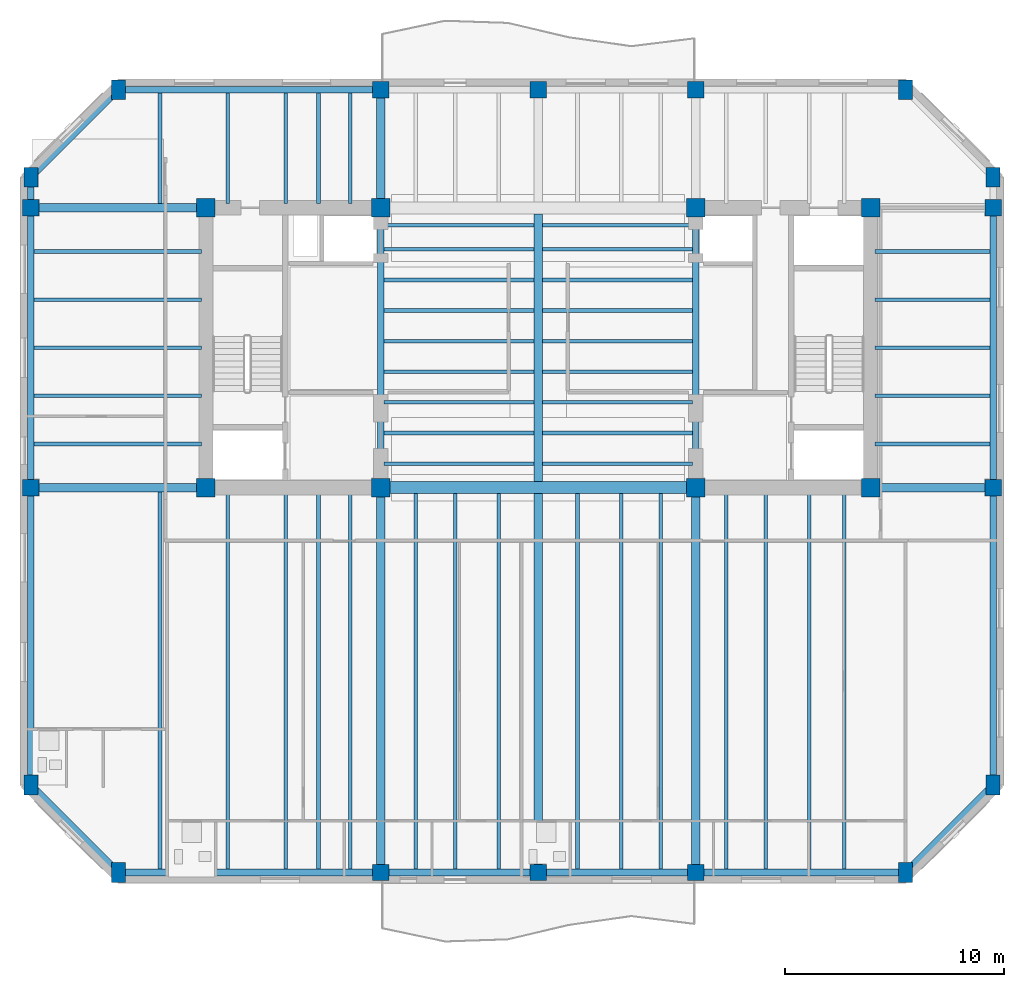
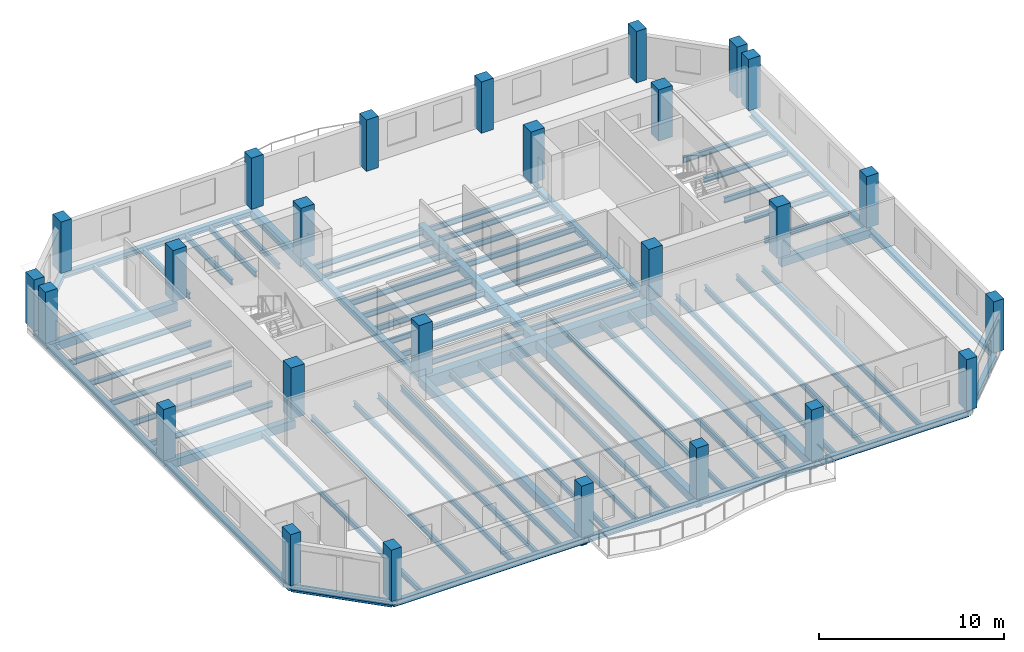
# One storey, part 1 of 10: 72 beams, 26 columns.
"""IFC4 building model written with IfcOpenShell, lengths in metres."""

from ifc_helpers import new_model, si_unit, direction, frame, origin, origin_2d, place, context, subcontext, project, spatial, rectangle, i_section, extrude, material, material_profile, profile_set, type_object, element, save


model = new_model("IFC4")

# Units and contexts
model_context = context("Model", 3, precision=1e-05, world=origin(), true_north=direction((0.0, 1.0)))
body_context = subcontext(model_context, "Body", "Model", "MODEL_VIEW")
ifc_project = project(units=[si_unit("LENGTHUNIT", "METRE"), si_unit("AREAUNIT", "SQUARE_METRE"), si_unit("VOLUMEUNIT", "CUBIC_METRE"), si_unit("PLANEANGLEUNIT", "RADIAN"), si_unit("MASSUNIT", "GRAM", prefix="KILO")], contexts=[model_context])

# Site, building, storey
site_placement = place(None, origin())
site = spatial("IfcSite", under=ifc_project, at=site_placement, CompositionType="ELEMENT")
building_placement = place(site_placement, origin())
building = spatial("IfcBuilding", under=site, at=building_placement, Name="Kranthara Brick Stack", CompositionType="ELEMENT")
storey_placement = place(building_placement, frame((0.0, 0.0, 214.300048828125)))
storey = spatial("IfcBuildingStorey", under=building, at=storey_placement, Name="L55", CompositionType="ELEMENT", Elevation=214.300048828125)

# Columns
ifc_material_1 = material(Name="Concrete C50/60", Category="concrete")
ifc_material_profile_1 = material_profile(ifc_material_1, rectangle(XDim=0.64990234375, YDim=0.89990234375, at=origin_2d()), Name="RC 650x900")
ifc_profile_set_1 = profile_set([ifc_material_profile_1], Name="Concrete C50/60")
column_type_1 = type_object("IfcColumnType", Name="COL-CHAM-650x900", PredefinedType="COLUMN", material=ifc_profile_set_1)
for number, where, z_axis, x_axis, name in (
    (1, (8.800048828125, 3.199951171875, 0.0), (0.0, 0.0, 1.0), (1.0, 0.0, 0.0), "L55 Column 09"),
    (2, (8.800048828125, 39.0, 0.0), (0.0, 0.0, 1.0), (1.0, 0.0, 0.0), "L55 Column 10"),
    (3, (44.800048828125, 3.199951171875, 0.0), (0.0, 0.0, 1.0), (1.0, 0.0, 0.0), "L55 Column 17"),
    (4, (44.800048828125, 39.0, 0.0), (0.0, 0.0, 1.0), (1.0, 0.0, 0.0), "L55 Column 18"),
    (5, (4.800048828125, 7.199951171875, 0.0), (0.0, 0.0, 1.0), (1.0, 0.0, 0.0), "L55 Column 19"),
    (6, (48.800048828125, 7.199951171875, 0.0), (0.0, 0.0, 1.0), (1.0, 0.0, 0.0), "L55 Column 20"),
    (7, (4.800048828125, 35.0, 0.0), (0.0, 0.0, 1.0), (1.0, 0.0, 0.0), "L55 Column 25"),
    (8, (48.800048828125, 35.0, 0.0), (0.0, 0.0, 1.0), (1.0, 0.0, 0.0), "L55 Column 26"),
):
    element("IfcColumn", number, at=place(storey_placement, frame(where, z_axis=z_axis, x_axis=x_axis)), inside=storey, type_object=column_type_1, Name=name, PredefinedType="COLUMN", context=body_context, shape_type="SweptSolid", body=[
        extrude(rectangle(XDim=0.64990234375, YDim=0.89990234375, at=origin_2d()), origin(), (0.0, 0.0, 1.0), 3.39990234375),
    ])
ifc_material_2 = material(Name="Concrete C50/60", Category="concrete")
ifc_material_profile_2 = material_profile(ifc_material_2, rectangle(XDim=0.85009765625, YDim=0.85009765625, at=origin_2d()), Name="RC 850x850")
ifc_profile_set_2 = profile_set([ifc_material_profile_2], Name="Concrete C50/60")
column_type_2 = type_object("IfcColumnType", Name="COL-CORE-850", PredefinedType="COLUMN", material=ifc_profile_set_2)
for number, where, z_axis, x_axis, name in (
    (9, (12.800048828125, 20.800048828125, 0.0), (0.0, 0.0, 1.0), (1.0, 0.0, 0.0), "L55 Column 01"),
    (10, (20.800048828125, 20.800048828125, 0.0), (0.0, 0.0, 1.0), (1.0, 0.0, 0.0), "L55 Column 02"),
    (11, (12.800048828125, 33.60009765625, 0.0), (0.0, 0.0, 1.0), (1.0, 0.0, 0.0), "L55 Column 03"),
    (12, (20.800048828125, 33.60009765625, 0.0), (0.0, 0.0, 1.0), (1.0, 0.0, 0.0), "L55 Column 04"),
    (13, (35.199951171875, 20.800048828125, 0.0), (0.0, 0.0, 1.0), (1.0, 0.0, 0.0), "L55 Column 05"),
    (14, (43.199951171875, 20.800048828125, 0.0), (0.0, 0.0, 1.0), (1.0, 0.0, 0.0), "L55 Column 06"),
    (15, (35.199951171875, 33.60009765625, 0.0), (0.0, 0.0, 1.0), (1.0, 0.0, 0.0), "L55 Column 07"),
    (16, (43.199951171875, 33.60009765625, 0.0), (0.0, 0.0, 1.0), (1.0, 0.0, 0.0), "L55 Column 08"),
):
    element("IfcColumn", number, at=place(storey_placement, frame(where, z_axis=z_axis, x_axis=x_axis)), inside=storey, type_object=column_type_2, Name=name, PredefinedType="COLUMN", context=body_context, shape_type="SweptSolid", body=[
        extrude(rectangle(XDim=0.85009765625, YDim=0.85009765625, at=origin_2d()), origin(), (0.0, 0.0, 1.0), 3.39990234375),
    ])
ifc_material_3 = material(Name="Concrete C50/60", Category="concrete")
ifc_material_profile_3 = material_profile(ifc_material_3, rectangle(XDim=0.75, YDim=0.75, at=origin_2d()), Name="RC 750x750")
ifc_profile_set_3 = profile_set([ifc_material_profile_3], Name="Concrete C50/60")
column_type_3 = type_object("IfcColumnType", Name="COL-PER-750", PredefinedType="COLUMN", material=ifc_profile_set_3)
for number, where, z_axis, x_axis, name in (
    (17, (20.800048828125, 3.199951171875, 0.0), (0.0, 0.0, 1.0), (1.0, 0.0, 0.0), "L55 Column 11"),
    (18, (20.800048828125, 39.0, 0.0), (0.0, 0.0, 1.0), (1.0, 0.0, 0.0), "L55 Column 12"),
    (19, (28.0, 3.199951171875, 0.0), (0.0, 0.0, 1.0), (1.0, 0.0, 0.0), "L55 Column 13"),
    (20, (28.0, 39.0, 0.0), (0.0, 0.0, 1.0), (1.0, 0.0, 0.0), "L55 Column 14"),
    (21, (35.199951171875, 3.199951171875, 0.0), (0.0, 0.0, 1.0), (1.0, 0.0, 0.0), "L55 Column 15"),
    (22, (35.199951171875, 39.0, 0.0), (0.0, 0.0, 1.0), (1.0, 0.0, 0.0), "L55 Column 16"),
    (23, (4.800048828125, 20.800048828125, 0.0), (0.0, 0.0, 1.0), (1.0, 0.0, 0.0), "L55 Column 21"),
    (24, (48.800048828125, 20.800048828125, 0.0), (0.0, 0.0, 1.0), (1.0, 0.0, 0.0), "L55 Column 22"),
    (25, (4.800048828125, 33.60009765625, 0.0), (0.0, 0.0, 1.0), (1.0, 0.0, 0.0), "L55 Column 23"),
    (26, (48.800048828125, 33.60009765625, 0.0), (0.0, 0.0, 1.0), (1.0, 0.0, 0.0), "L55 Column 24"),
):
    element("IfcColumn", number, at=place(storey_placement, frame(where, z_axis=z_axis, x_axis=x_axis)), inside=storey, type_object=column_type_3, Name=name, PredefinedType="COLUMN", context=body_context, shape_type="SweptSolid", body=[
        extrude(rectangle(XDim=0.75, YDim=0.75, at=origin_2d()), origin(), (0.0, 0.0, 1.0), 3.39990234375),
    ])

# Beams
ifc_material_4 = material(Name="Concrete C50/60", Category="concrete")
ifc_material_profile_4 = material_profile(ifc_material_4, rectangle(XDim=0.550048828125, YDim=0.85009765625, at=origin_2d()), Name="RC 550x850")
ifc_profile_set_4 = profile_set([ifc_material_profile_4], Name="Concrete C50/60")
beam_type_1 = type_object("IfcBeamType", Name="BM-CPL-RC850", PredefinedType="LINTEL", material=ifc_profile_set_4)
beam_1_placement = place(storey_placement, frame((20.800048828125, 20.800048828125, -0.72509765625), z_axis=(1.0, 0.0, 0.0), x_axis=(0.0, 1.0, 0.0)))
element("IfcBeam", 27, at=beam_1_placement, inside=storey, type_object=beam_type_1, Name="L55 Core Coupling Beam 001", PredefinedType="LINTEL", context=body_context, shape_type="SweptSolid", body=[
    extrude(rectangle(XDim=0.550048828125, YDim=0.85009765625, at=origin_2d()), origin(), (0.0, 0.0, 1.0), 14.39990234375),
])
ifc_material_5 = material(Name="Post-tensioned concrete C45/55", Category="concrete")
ifc_material_profile_5 = material_profile(ifc_material_5, rectangle(XDim=0.39990234375, YDim=0.550048828125, at=origin_2d()), Name="PT 400x550")
ifc_profile_set_5 = profile_set([ifc_material_profile_5], Name="Post-tensioned concrete C45/55")
beam_type_2 = type_object("IfcBeamType", Name="BM-FLR-PT550", PredefinedType="BEAM", material=ifc_profile_set_5)
beam_2_placement = place(storey_placement, frame((20.800048828125, 3.199951171875, -0.574951171875), z_axis=(0.0, 1.0, 0.0), x_axis=(-1.0, 0.0, 0.0)))
element("IfcBeam", 28, at=beam_2_placement, inside=storey, type_object=beam_type_2, Name="L55 Primary Grid Girder 023", PredefinedType="BEAM", context=body_context, shape_type="SweptSolid", body=[
    extrude(rectangle(XDim=0.39990234375, YDim=0.550048828125, at=origin_2d()), origin(), (0.0, 0.0, 1.0), 17.60009765625),
])
beam_3_placement = place(storey_placement, frame((20.800048828125, 33.60009765625, -0.574951171875), z_axis=(0.0, 1.0, 0.0), x_axis=(-1.0, 0.0, 0.0)))
element("IfcBeam", 29, at=beam_3_placement, inside=storey, type_object=beam_type_2, Name="L55 Primary Grid Girder 024", PredefinedType="BEAM", context=body_context, shape_type="SweptSolid", body=[
    extrude(rectangle(XDim=0.39990234375, YDim=0.550048828125, at=origin_2d()), origin(), (0.0, 0.0, 1.0), 5.39990234375),
])
beam_4_placement = place(storey_placement, frame((28.0, 3.199951171875, -0.574951171875), z_axis=(0.0, 1.0, 0.0), x_axis=(-1.0, 0.0, 0.0)))
element("IfcBeam", 30, at=beam_4_placement, inside=storey, type_object=beam_type_2, Name="L55 Primary Grid Girder 025", PredefinedType="BEAM", context=body_context, shape_type="SweptSolid", body=[
    extrude(rectangle(XDim=0.39990234375, YDim=0.550048828125, at=origin_2d()), origin(), (0.0, 0.0, 1.0), 17.324951171875),
])
beam_5_placement = place(storey_placement, frame((28.0, 21.074951171875, -0.574951171875), z_axis=(0.0, 1.0, 0.0), x_axis=(-1.0, 0.0, 0.0)))
element("IfcBeam", 31, at=beam_5_placement, inside=storey, type_object=beam_type_2, Name="L55 Central Spine Girder 026", PredefinedType="BEAM", context=body_context, shape_type="SweptSolid", body=[
    extrude(rectangle(XDim=0.39990234375, YDim=0.550048828125, at=origin_2d()), origin(), (0.0, 0.0, 1.0), 12.25),
])
beam_6_placement = place(storey_placement, frame((35.199951171875, 3.199951171875, -0.574951171875), z_axis=(0.0, 1.0, 0.0), x_axis=(-1.0, 0.0, 0.0)))
element("IfcBeam", 32, at=beam_6_placement, inside=storey, type_object=beam_type_2, Name="L55 Primary Grid Girder 028", PredefinedType="BEAM", context=body_context, shape_type="SweptSolid", body=[
    extrude(rectangle(XDim=0.39990234375, YDim=0.550048828125, at=origin_2d()), origin(), (0.0, 0.0, 1.0), 17.60009765625),
])
beam_7_placement = place(storey_placement, frame((4.800048828125, 20.800048828125, -0.574951171875), z_axis=(1.0, 0.0, 0.0), x_axis=(0.0, 1.0, 0.0)))
element("IfcBeam", 33, at=beam_7_placement, inside=storey, type_object=beam_type_2, Name="L55 Primary Grid Girder 030", PredefinedType="BEAM", context=body_context, shape_type="SweptSolid", body=[
    extrude(rectangle(XDim=0.39990234375, YDim=0.550048828125, at=origin_2d()), origin(), (0.0, 0.0, 1.0), 8.0),
])
beam_8_placement = place(storey_placement, frame((43.199951171875, 20.800048828125, -0.574951171875), z_axis=(1.0, 0.0, 0.0), x_axis=(0.0, 1.0, 0.0)))
element("IfcBeam", 34, at=beam_8_placement, inside=storey, type_object=beam_type_2, Name="L55 Primary Grid Girder 031", PredefinedType="BEAM", context=body_context, shape_type="SweptSolid", body=[
    extrude(rectangle(XDim=0.39990234375, YDim=0.550048828125, at=origin_2d()), origin(), (0.0, 0.0, 1.0), 5.60009765625),
])
beam_9_placement = place(storey_placement, frame((4.800048828125, 33.60009765625, -0.574951171875), z_axis=(1.0, 0.0, 0.0), x_axis=(0.0, 1.0, 0.0)))
element("IfcBeam", 35, at=beam_9_placement, inside=storey, type_object=beam_type_2, Name="L55 Primary Grid Girder 032", PredefinedType="BEAM", context=body_context, shape_type="SweptSolid", body=[
    extrude(rectangle(XDim=0.39990234375, YDim=0.550048828125, at=origin_2d()), origin(), (0.0, 0.0, 1.0), 8.0),
])
ifc_material_6 = material(Name="Steel S355", Category="steel")
ifc_material_profile_6 = material_profile(ifc_material_6, i_section(OverallWidth=0.169921875, OverallDepth=0.360107421875, WebThickness=0.008056640625, FlangeThickness=0.0126953125, at=origin_2d()), Name="IPE 360")
ifc_profile_set_6 = profile_set([ifc_material_profile_6], Name="Steel S355")
beam_type_3 = type_object("IfcBeamType", Name="BM-JST-IPE360", PredefinedType="JOIST", material=ifc_profile_set_6)
for number, where, z_axis, x_axis, name in (
    (36, (20.949951171875, 21.89990234375, -0.47998046875), (1.0, 0.0, 0.0), (0.0, 1.0, 0.0), "L55 Central Floor Joist 034"),
    (37, (28.199951171875, 21.89990234375, -0.47998046875), (1.0, 0.0, 0.0), (0.0, 1.0, 0.0), "L55 Central Floor Joist 035"),
    (38, (20.949951171875, 23.300048828125, -0.47998046875), (1.0, 0.0, 0.0), (0.0, 1.0, 0.0), "L55 Central Floor Joist 036"),
    (39, (28.199951171875, 23.300048828125, -0.47998046875), (1.0, 0.0, 0.0), (0.0, 1.0, 0.0), "L55 Central Floor Joist 037"),
    (40, (20.949951171875, 24.699951171875, -0.47998046875), (1.0, 0.0, 0.0), (0.0, 1.0, 0.0), "L55 Central Floor Joist 038"),
    (41, (28.199951171875, 24.699951171875, -0.47998046875), (1.0, 0.0, 0.0), (0.0, 1.0, 0.0), "L55 Central Floor Joist 039"),
    (42, (20.949951171875, 26.10009765625, -0.47998046875), (1.0, 0.0, 0.0), (0.0, 1.0, 0.0), "L55 Central Floor Joist 040"),
    (43, (28.199951171875, 26.10009765625, -0.47998046875), (1.0, 0.0, 0.0), (0.0, 1.0, 0.0), "L55 Central Floor Joist 041"),
    (44, (20.949951171875, 27.5, -0.47998046875), (1.0, 0.0, 0.0), (0.0, 1.0, 0.0), "L55 Central Floor Joist 042"),
    (45, (28.199951171875, 27.5, -0.47998046875), (1.0, 0.0, 0.0), (0.0, 1.0, 0.0), "L55 Central Floor Joist 043"),
    (46, (20.949951171875, 28.89990234375, -0.47998046875), (1.0, 0.0, 0.0), (0.0, 1.0, 0.0), "L55 Central Floor Joist 044"),
    (47, (28.199951171875, 28.89990234375, -0.47998046875), (1.0, 0.0, 0.0), (0.0, 1.0, 0.0), "L55 Central Floor Joist 045"),
    (48, (20.949951171875, 30.300048828125, -0.47998046875), (1.0, 0.0, 0.0), (0.0, 1.0, 0.0), "L55 Central Floor Joist 046"),
    (49, (28.199951171875, 30.300048828125, -0.47998046875), (1.0, 0.0, 0.0), (0.0, 1.0, 0.0), "L55 Central Floor Joist 047"),
    (50, (20.949951171875, 31.699951171875, -0.47998046875), (1.0, 0.0, 0.0), (0.0, 1.0, 0.0), "L55 Central Floor Joist 048"),
    (51, (28.199951171875, 31.699951171875, -0.47998046875), (1.0, 0.0, 0.0), (0.0, 1.0, 0.0), "L55 Central Floor Joist 049"),
    (52, (20.949951171875, 32.800048828125, -0.47998046875), (1.0, 0.0, 0.0), (0.0, 1.0, 0.0), "L55 Central Floor Joist 050"),
    (53, (28.199951171875, 32.800048828125, -0.47998046875), (1.0, 0.0, 0.0), (0.0, 1.0, 0.0), "L55 Central Floor Joist 051"),
):
    element("IfcBeam", number, at=place(storey_placement, frame(where, z_axis=z_axis, x_axis=x_axis)), inside=storey, type_object=beam_type_3, Name=name, PredefinedType="JOIST", context=body_context, shape_type="SweptSolid", body=[
        extrude(i_section(OverallWidth=0.169921875, OverallDepth=0.360107421875, WebThickness=0.008056640625, FlangeThickness=0.0126953125, at=origin_2d()), origin(), (0.0, 0.0, 1.0), 6.85009765625),
    ])
beam_10_placement = place(storey_placement, frame((10.699951171875, 3.35009765625, -0.47998046875), z_axis=(0.0, 1.0, 0.0), x_axis=(-1.0, 0.0, 0.0)))
element("IfcBeam", 54, at=beam_10_placement, inside=storey, type_object=beam_type_3, Name="L55 South Wing Floor Joist 052", PredefinedType="JOIST", context=body_context, shape_type="SweptSolid", body=[
    extrude(i_section(OverallWidth=0.169921875, OverallDepth=0.360107421875, WebThickness=0.008056640625, FlangeThickness=0.0126953125, at=origin_2d()), origin(), (0.0, 0.0, 1.0), 17.25),
])
beam_11_placement = place(storey_placement, frame((10.699951171875, 33.800048828125, -0.47998046875), z_axis=(0.0, 1.0, 0.0), x_axis=(-1.0, 0.0, 0.0)))
element("IfcBeam", 55, at=beam_11_placement, inside=storey, type_object=beam_type_3, Name="L55 North Wing Floor Joist 053", PredefinedType="JOIST", context=body_context, shape_type="SweptSolid", body=[
    extrude(i_section(OverallWidth=0.169921875, OverallDepth=0.360107421875, WebThickness=0.008056640625, FlangeThickness=0.0126953125, at=origin_2d()), origin(), (0.0, 0.0, 1.0), 5.050048828125),
])
beam_12_placement = place(storey_placement, frame((13.800048828125, 3.35009765625, -0.47998046875), z_axis=(0.0, 1.0, 0.0), x_axis=(-1.0, 0.0, 0.0)))
element("IfcBeam", 56, at=beam_12_placement, inside=storey, type_object=beam_type_3, Name="L55 South Wing Floor Joist 054", PredefinedType="JOIST", context=body_context, shape_type="SweptSolid", body=[
    extrude(i_section(OverallWidth=0.169921875, OverallDepth=0.360107421875, WebThickness=0.008056640625, FlangeThickness=0.0126953125, at=origin_2d()), origin(), (0.0, 0.0, 1.0), 17.25),
])
beam_13_placement = place(storey_placement, frame((13.800048828125, 33.800048828125, -0.47998046875), z_axis=(0.0, 1.0, 0.0), x_axis=(-1.0, 0.0, 0.0)))
element("IfcBeam", 57, at=beam_13_placement, inside=storey, type_object=beam_type_3, Name="L55 North Wing Floor Joist 055", PredefinedType="JOIST", context=body_context, shape_type="SweptSolid", body=[
    extrude(i_section(OverallWidth=0.169921875, OverallDepth=0.360107421875, WebThickness=0.008056640625, FlangeThickness=0.0126953125, at=origin_2d()), origin(), (0.0, 0.0, 1.0), 5.050048828125),
])
beam_14_placement = place(storey_placement, frame((16.449951171875, 3.35009765625, -0.47998046875), z_axis=(0.0, 1.0, 0.0), x_axis=(-1.0, 0.0, 0.0)))
element("IfcBeam", 58, at=beam_14_placement, inside=storey, type_object=beam_type_3, Name="L55 South Wing Floor Joist 056", PredefinedType="JOIST", context=body_context, shape_type="SweptSolid", body=[
    extrude(i_section(OverallWidth=0.169921875, OverallDepth=0.360107421875, WebThickness=0.008056640625, FlangeThickness=0.0126953125, at=origin_2d()), origin(), (0.0, 0.0, 1.0), 17.25),
])
beam_15_placement = place(storey_placement, frame((16.449951171875, 33.800048828125, -0.47998046875), z_axis=(0.0, 1.0, 0.0), x_axis=(-1.0, 0.0, 0.0)))
element("IfcBeam", 59, at=beam_15_placement, inside=storey, type_object=beam_type_3, Name="L55 North Wing Floor Joist 057", PredefinedType="JOIST", context=body_context, shape_type="SweptSolid", body=[
    extrude(i_section(OverallWidth=0.169921875, OverallDepth=0.360107421875, WebThickness=0.008056640625, FlangeThickness=0.0126953125, at=origin_2d()), origin(), (0.0, 0.0, 1.0), 5.050048828125),
])
beam_16_placement = place(storey_placement, frame((17.949951171875, 3.35009765625, -0.47998046875), z_axis=(0.0, 1.0, 0.0), x_axis=(-1.0, 0.0, 0.0)))
element("IfcBeam", 60, at=beam_16_placement, inside=storey, type_object=beam_type_3, Name="L55 South Wing Floor Joist 058", PredefinedType="JOIST", context=body_context, shape_type="SweptSolid", body=[
    extrude(i_section(OverallWidth=0.169921875, OverallDepth=0.360107421875, WebThickness=0.008056640625, FlangeThickness=0.0126953125, at=origin_2d()), origin(), (0.0, 0.0, 1.0), 17.25),
])
beam_17_placement = place(storey_placement, frame((17.949951171875, 33.800048828125, -0.47998046875), z_axis=(0.0, 1.0, 0.0), x_axis=(-1.0, 0.0, 0.0)))
element("IfcBeam", 61, at=beam_17_placement, inside=storey, type_object=beam_type_3, Name="L55 North Wing Floor Joist 059", PredefinedType="JOIST", context=body_context, shape_type="SweptSolid", body=[
    extrude(i_section(OverallWidth=0.169921875, OverallDepth=0.360107421875, WebThickness=0.008056640625, FlangeThickness=0.0126953125, at=origin_2d()), origin(), (0.0, 0.0, 1.0), 5.050048828125),
])
beam_18_placement = place(storey_placement, frame((19.39990234375, 3.35009765625, -0.47998046875), z_axis=(0.0, 1.0, 0.0), x_axis=(-1.0, 0.0, 0.0)))
element("IfcBeam", 62, at=beam_18_placement, inside=storey, type_object=beam_type_3, Name="L55 South Wing Floor Joist 060", PredefinedType="JOIST", context=body_context, shape_type="SweptSolid", body=[
    extrude(i_section(OverallWidth=0.169921875, OverallDepth=0.360107421875, WebThickness=0.008056640625, FlangeThickness=0.0126953125, at=origin_2d()), origin(), (0.0, 0.0, 1.0), 17.25),
])
beam_19_placement = place(storey_placement, frame((19.39990234375, 33.800048828125, -0.47998046875), z_axis=(0.0, 1.0, 0.0), x_axis=(-1.0, 0.0, 0.0)))
element("IfcBeam", 63, at=beam_19_placement, inside=storey, type_object=beam_type_3, Name="L55 North Wing Floor Joist 061", PredefinedType="JOIST", context=body_context, shape_type="SweptSolid", body=[
    extrude(i_section(OverallWidth=0.169921875, OverallDepth=0.360107421875, WebThickness=0.008056640625, FlangeThickness=0.0126953125, at=origin_2d()), origin(), (0.0, 0.0, 1.0), 5.050048828125),
])
for number, where, z_axis, x_axis, name in (
    (64, (22.39990234375, 3.35009765625, -0.47998046875), (0.0, 1.0, 0.0), (-1.0, 0.0, 0.0), "L55 South Wing Floor Joist 062"),
    (65, (24.199951171875, 3.35009765625, -0.47998046875), (0.0, 1.0, 0.0), (-1.0, 0.0, 0.0), "L55 South Wing Floor Joist 064"),
    (66, (26.199951171875, 3.35009765625, -0.47998046875), (0.0, 1.0, 0.0), (-1.0, 0.0, 0.0), "L55 South Wing Floor Joist 066"),
    (67, (29.800048828125, 3.35009765625, -0.47998046875), (0.0, 1.0, 0.0), (-1.0, 0.0, 0.0), "L55 South Wing Floor Joist 068"),
    (68, (31.800048828125, 3.35009765625, -0.47998046875), (0.0, 1.0, 0.0), (-1.0, 0.0, 0.0), "L55 South Wing Floor Joist 070"),
    (69, (33.60009765625, 3.35009765625, -0.47998046875), (0.0, 1.0, 0.0), (-1.0, 0.0, 0.0), "L55 South Wing Floor Joist 072"),
):
    element("IfcBeam", number, at=place(storey_placement, frame(where, z_axis=z_axis, x_axis=x_axis)), inside=storey, type_object=beam_type_3, Name=name, PredefinedType="JOIST", context=body_context, shape_type="SweptSolid", body=[
        extrude(i_section(OverallWidth=0.169921875, OverallDepth=0.360107421875, WebThickness=0.008056640625, FlangeThickness=0.0126953125, at=origin_2d()), origin(), (0.0, 0.0, 1.0), 17.1748046875),
    ])
for number, where, z_axis, x_axis, name in (
    (70, (36.60009765625, 3.35009765625, -0.47998046875), (0.0, 1.0, 0.0), (-1.0, 0.0, 0.0), "L55 South Wing Floor Joist 074"),
    (71, (38.39990234375, 3.35009765625, -0.47998046875), (0.0, 1.0, 0.0), (-1.0, 0.0, 0.0), "L55 South Wing Floor Joist 076"),
    (72, (40.39990234375, 3.35009765625, -0.47998046875), (0.0, 1.0, 0.0), (-1.0, 0.0, 0.0), "L55 South Wing Floor Joist 078"),
    (73, (42.0, 3.35009765625, -0.47998046875), (0.0, 1.0, 0.0), (-1.0, 0.0, 0.0), "L55 South Wing Floor Joist 080"),
):
    element("IfcBeam", number, at=place(storey_placement, frame(where, z_axis=z_axis, x_axis=x_axis)), inside=storey, type_object=beam_type_3, Name=name, PredefinedType="JOIST", context=body_context, shape_type="SweptSolid", body=[
        extrude(i_section(OverallWidth=0.169921875, OverallDepth=0.360107421875, WebThickness=0.008056640625, FlangeThickness=0.0126953125, at=origin_2d()), origin(), (0.0, 0.0, 1.0), 17.25),
    ])
beam_20_placement = place(storey_placement, frame((4.949951171875, 22.800048828125, -0.47998046875), z_axis=(1.0, 0.0, 0.0), x_axis=(0.0, 1.0, 0.0)))
element("IfcBeam", 74, at=beam_20_placement, inside=storey, type_object=beam_type_3, Name="L55 West Wing Floor Joist 082", PredefinedType="JOIST", context=body_context, shape_type="SweptSolid", body=[
    extrude(i_section(OverallWidth=0.169921875, OverallDepth=0.360107421875, WebThickness=0.008056640625, FlangeThickness=0.0126953125, at=origin_2d()), origin(), (0.0, 0.0, 1.0), 7.650146484375),
])
beam_21_placement = place(storey_placement, frame((43.39990234375, 22.800048828125, -0.47998046875), z_axis=(1.0, 0.0, 0.0), x_axis=(0.0, 1.0, 0.0)))
element("IfcBeam", 75, at=beam_21_placement, inside=storey, type_object=beam_type_3, Name="L55 East Wing Floor Joist 083", PredefinedType="JOIST", context=body_context, shape_type="SweptSolid", body=[
    extrude(i_section(OverallWidth=0.169921875, OverallDepth=0.360107421875, WebThickness=0.008056640625, FlangeThickness=0.0126953125, at=origin_2d()), origin(), (0.0, 0.0, 1.0), 5.25),
])
beam_22_placement = place(storey_placement, frame((4.949951171875, 25.0, -0.47998046875), z_axis=(1.0, 0.0, 0.0), x_axis=(0.0, 1.0, 0.0)))
element("IfcBeam", 76, at=beam_22_placement, inside=storey, type_object=beam_type_3, Name="L55 West Wing Floor Joist 084", PredefinedType="JOIST", context=body_context, shape_type="SweptSolid", body=[
    extrude(i_section(OverallWidth=0.169921875, OverallDepth=0.360107421875, WebThickness=0.008056640625, FlangeThickness=0.0126953125, at=origin_2d()), origin(), (0.0, 0.0, 1.0), 7.650146484375),
])
beam_23_placement = place(storey_placement, frame((43.39990234375, 25.0, -0.47998046875), z_axis=(1.0, 0.0, 0.0), x_axis=(0.0, 1.0, 0.0)))
element("IfcBeam", 77, at=beam_23_placement, inside=storey, type_object=beam_type_3, Name="L55 East Wing Floor Joist 085", PredefinedType="JOIST", context=body_context, shape_type="SweptSolid", body=[
    extrude(i_section(OverallWidth=0.169921875, OverallDepth=0.360107421875, WebThickness=0.008056640625, FlangeThickness=0.0126953125, at=origin_2d()), origin(), (0.0, 0.0, 1.0), 5.25),
])
beam_24_placement = place(storey_placement, frame((4.949951171875, 27.199951171875, -0.47998046875), z_axis=(1.0, 0.0, 0.0), x_axis=(0.0, 1.0, 0.0)))
element("IfcBeam", 78, at=beam_24_placement, inside=storey, type_object=beam_type_3, Name="L55 West Wing Floor Joist 086", PredefinedType="JOIST", context=body_context, shape_type="SweptSolid", body=[
    extrude(i_section(OverallWidth=0.169921875, OverallDepth=0.360107421875, WebThickness=0.008056640625, FlangeThickness=0.0126953125, at=origin_2d()), origin(), (0.0, 0.0, 1.0), 7.650146484375),
])
beam_25_placement = place(storey_placement, frame((43.39990234375, 27.199951171875, -0.47998046875), z_axis=(1.0, 0.0, 0.0), x_axis=(0.0, 1.0, 0.0)))
element("IfcBeam", 79, at=beam_25_placement, inside=storey, type_object=beam_type_3, Name="L55 East Wing Floor Joist 087", PredefinedType="JOIST", context=body_context, shape_type="SweptSolid", body=[
    extrude(i_section(OverallWidth=0.169921875, OverallDepth=0.360107421875, WebThickness=0.008056640625, FlangeThickness=0.0126953125, at=origin_2d()), origin(), (0.0, 0.0, 1.0), 5.25),
])
beam_26_placement = place(storey_placement, frame((4.949951171875, 29.39990234375, -0.47998046875), z_axis=(1.0, 0.0, 0.0), x_axis=(0.0, 1.0, 0.0)))
element("IfcBeam", 80, at=beam_26_placement, inside=storey, type_object=beam_type_3, Name="L55 West Wing Floor Joist 088", PredefinedType="JOIST", context=body_context, shape_type="SweptSolid", body=[
    extrude(i_section(OverallWidth=0.169921875, OverallDepth=0.360107421875, WebThickness=0.008056640625, FlangeThickness=0.0126953125, at=origin_2d()), origin(), (0.0, 0.0, 1.0), 7.650146484375),
])
beam_27_placement = place(storey_placement, frame((43.39990234375, 29.39990234375, -0.47998046875), z_axis=(1.0, 0.0, 0.0), x_axis=(0.0, 1.0, 0.0)))
element("IfcBeam", 81, at=beam_27_placement, inside=storey, type_object=beam_type_3, Name="L55 East Wing Floor Joist 089", PredefinedType="JOIST", context=body_context, shape_type="SweptSolid", body=[
    extrude(i_section(OverallWidth=0.169921875, OverallDepth=0.360107421875, WebThickness=0.008056640625, FlangeThickness=0.0126953125, at=origin_2d()), origin(), (0.0, 0.0, 1.0), 5.25),
])
beam_28_placement = place(storey_placement, frame((4.949951171875, 31.60009765625, -0.47998046875), z_axis=(1.0, 0.0, 0.0), x_axis=(0.0, 1.0, 0.0)))
element("IfcBeam", 82, at=beam_28_placement, inside=storey, type_object=beam_type_3, Name="L55 West Wing Floor Joist 090", PredefinedType="JOIST", context=body_context, shape_type="SweptSolid", body=[
    extrude(i_section(OverallWidth=0.169921875, OverallDepth=0.360107421875, WebThickness=0.008056640625, FlangeThickness=0.0126953125, at=origin_2d()), origin(), (0.0, 0.0, 1.0), 7.650146484375),
])
beam_29_placement = place(storey_placement, frame((43.39990234375, 31.60009765625, -0.47998046875), z_axis=(1.0, 0.0, 0.0), x_axis=(0.0, 1.0, 0.0)))
element("IfcBeam", 83, at=beam_29_placement, inside=storey, type_object=beam_type_3, Name="L55 East Wing Floor Joist 091", PredefinedType="JOIST", context=body_context, shape_type="SweptSolid", body=[
    extrude(i_section(OverallWidth=0.169921875, OverallDepth=0.360107421875, WebThickness=0.008056640625, FlangeThickness=0.0126953125, at=origin_2d()), origin(), (0.0, 0.0, 1.0), 5.25),
])
ifc_material_7 = material(Name="Steel S355", Category="steel")
ifc_material_profile_7 = material_profile(ifc_material_7, i_section(OverallWidth=0.300048828125, OverallDepth=0.360107421875, WebThickness=0.012451171875, FlangeThickness=0.0224609375, at=origin_2d()), Name="HEB 360")
ifc_profile_set_7 = profile_set([ifc_material_profile_7], Name="Steel S355")
beam_type_4 = type_object("IfcBeamType", Name="BM-STL-HEB360", PredefinedType="SPANDREL", material=ifc_profile_set_7)
beam_30_placement = place(storey_placement, frame((8.800048828125, 3.199951171875, -0.47998046875), z_axis=(1.0, 0.0, 0.0), x_axis=(0.0, 1.0, 0.0)))
element("IfcBeam", 84, at=beam_30_placement, inside=storey, type_object=beam_type_4, Name="L55 Perimeter Spandrel Beam 005", PredefinedType="SPANDREL", context=body_context, shape_type="SweptSolid", body=[
    extrude(i_section(OverallWidth=0.300048828125, OverallDepth=0.360107421875, WebThickness=0.012451171875, FlangeThickness=0.0224609375, at=origin_2d()), origin(), (0.0, 0.0, 1.0), 12.0),
])
for number, where, z_axis, x_axis, name in (
    (85, (20.800048828125, 3.199951171875, -0.47998046875), (1.0, 0.0, 0.0), (0.0, 1.0, 0.0), "L55 Perimeter Spandrel Beam 006"),
    (86, (28.0, 3.199951171875, -0.47998046875), (1.0, 0.0, 0.0), (0.0, 1.0, 0.0), "L55 Perimeter Spandrel Beam 007"),
):
    element("IfcBeam", number, at=place(storey_placement, frame(where, z_axis=z_axis, x_axis=x_axis)), inside=storey, type_object=beam_type_4, Name=name, PredefinedType="SPANDREL", context=body_context, shape_type="SweptSolid", body=[
        extrude(i_section(OverallWidth=0.300048828125, OverallDepth=0.360107421875, WebThickness=0.012451171875, FlangeThickness=0.0224609375, at=origin_2d()), origin(), (0.0, 0.0, 1.0), 7.199951171875),
    ])
beam_31_placement = place(storey_placement, frame((35.199951171875, 3.199951171875, -0.47998046875), z_axis=(1.0, 0.0, 0.0), x_axis=(0.0, 1.0, 0.0)))
element("IfcBeam", 87, at=beam_31_placement, inside=storey, type_object=beam_type_4, Name="L55 Perimeter Spandrel Beam 008", PredefinedType="SPANDREL", context=body_context, shape_type="SweptSolid", body=[
    extrude(i_section(OverallWidth=0.300048828125, OverallDepth=0.360107421875, WebThickness=0.012451171875, FlangeThickness=0.0224609375, at=origin_2d()), origin(), (0.0, 0.0, 1.0), 9.60009765625),
])
beam_32_placement = place(storey_placement, frame((8.800048828125, 39.0, -0.47998046875), z_axis=(1.0, 0.0, 0.0), x_axis=(0.0, 1.0, 0.0)))
element("IfcBeam", 88, at=beam_32_placement, inside=storey, type_object=beam_type_4, Name="L55 Perimeter Spandrel Beam 009", PredefinedType="SPANDREL", context=body_context, shape_type="SweptSolid", body=[
    extrude(i_section(OverallWidth=0.300048828125, OverallDepth=0.360107421875, WebThickness=0.012451171875, FlangeThickness=0.0224609375, at=origin_2d()), origin(), (0.0, 0.0, 1.0), 12.0),
])
beam_33_placement = place(storey_placement, frame((4.800048828125, 7.199951171875, -0.47998046875), z_axis=(0.0, 1.0, 0.0), x_axis=(-1.0, 0.0, 0.0)))
element("IfcBeam", 89, at=beam_33_placement, inside=storey, type_object=beam_type_4, Name="L55 Perimeter Spandrel Beam 013", PredefinedType="SPANDREL", context=body_context, shape_type="SweptSolid", body=[
    extrude(i_section(OverallWidth=0.300048828125, OverallDepth=0.360107421875, WebThickness=0.012451171875, FlangeThickness=0.0224609375, at=origin_2d()), origin(), (0.0, 0.0, 1.0), 13.60009765625),
])
beam_34_placement = place(storey_placement, frame((4.800048828125, 20.800048828125, -0.47998046875), z_axis=(0.0, 1.0, 0.0), x_axis=(-1.0, 0.0, 0.0)))
element("IfcBeam", 90, at=beam_34_placement, inside=storey, type_object=beam_type_4, Name="L55 Perimeter Spandrel Beam 014", PredefinedType="SPANDREL", context=body_context, shape_type="SweptSolid", body=[
    extrude(i_section(OverallWidth=0.300048828125, OverallDepth=0.360107421875, WebThickness=0.012451171875, FlangeThickness=0.0224609375, at=origin_2d()), origin(), (0.0, 0.0, 1.0), 12.800048828125),
])
beam_35_placement = place(storey_placement, frame((4.800048828125, 33.60009765625, -0.47998046875), z_axis=(0.0, 1.0, 0.0), x_axis=(-1.0, 0.0, 0.0)))
element("IfcBeam", 91, at=beam_35_placement, inside=storey, type_object=beam_type_4, Name="L55 Perimeter Spandrel Beam 015", PredefinedType="SPANDREL", context=body_context, shape_type="SweptSolid", body=[
    extrude(i_section(OverallWidth=0.300048828125, OverallDepth=0.360107421875, WebThickness=0.012451171875, FlangeThickness=0.0224609375, at=origin_2d()), origin(), (0.0, 0.0, 1.0), 1.39990234375),
])
beam_36_placement = place(storey_placement, frame((48.800048828125, 7.199951171875, -0.47998046875), z_axis=(0.0, 1.0, 0.0), x_axis=(-1.0, 0.0, 0.0)))
element("IfcBeam", 92, at=beam_36_placement, inside=storey, type_object=beam_type_4, Name="L55 Perimeter Spandrel Beam 016", PredefinedType="SPANDREL", context=body_context, shape_type="SweptSolid", body=[
    extrude(i_section(OverallWidth=0.300048828125, OverallDepth=0.360107421875, WebThickness=0.012451171875, FlangeThickness=0.0224609375, at=origin_2d()), origin(), (0.0, 0.0, 1.0), 13.60009765625),
])
beam_37_placement = place(storey_placement, frame((48.800048828125, 20.800048828125, -0.47998046875), z_axis=(0.0, 1.0, 0.0), x_axis=(-1.0, 0.0, 0.0)))
element("IfcBeam", 93, at=beam_37_placement, inside=storey, type_object=beam_type_4, Name="L55 Perimeter Spandrel Beam 017", PredefinedType="SPANDREL", context=body_context, shape_type="SweptSolid", body=[
    extrude(i_section(OverallWidth=0.300048828125, OverallDepth=0.360107421875, WebThickness=0.012451171875, FlangeThickness=0.0224609375, at=origin_2d()), origin(), (0.0, 0.0, 1.0), 12.800048828125),
])
for number, where, z_axis, x_axis, name in (
    (94, (8.800048828125, 3.199951171875, -0.47998046875), (-0.707106781187, 0.707106781187, 0.0), (-0.707106781187, -0.707106781187, 0.0), "L55 Chamfer Corner Spandrel 019"),
    (95, (44.800048828125, 3.199951171875, -0.47998046875), (0.707106781187, 0.707106781187, 0.0), (-0.707106781187, 0.707106781187, 0.0), "L55 Chamfer Corner Spandrel 020"),
    (96, (8.800048828125, 39.0, -0.47998046875), (-0.707106781187, -0.707106781187, 0.0), (0.707106781187, -0.707106781187, 0.0), "L55 Chamfer Corner Spandrel 021"),
):
    element("IfcBeam", number, at=place(storey_placement, frame(where, z_axis=z_axis, x_axis=x_axis)), inside=storey, type_object=beam_type_4, Name=name, PredefinedType="SPANDREL", context=body_context, shape_type="SweptSolid", body=[
        extrude(i_section(OverallWidth=0.300048828125, OverallDepth=0.360107421875, WebThickness=0.012451171875, FlangeThickness=0.0224609375, at=origin_2d()), origin(), (0.0, 0.0, 1.0), 5.65673828125),
    ])
ifc_material_8 = material(Name="Steel S355", Category="steel")
ifc_material_profile_8 = material_profile(ifc_material_8, i_section(OverallWidth=0.300048828125, OverallDepth=0.449951171875, WebThickness=0.013916015625, FlangeThickness=0.02587890625, at=origin_2d()), Name="HEB 450")
ifc_profile_set_8 = profile_set([ifc_material_profile_8], Name="Steel S355")
beam_type_5 = type_object("IfcBeamType", Name="BM-STL-HEB450", PredefinedType="SPANDREL", material=ifc_profile_set_8)
for number, where, z_axis, x_axis, name in (
    (97, (20.800048828125, 20.800048828125, -0.525146484375), (0.0, 1.0, 0.0), (-1.0, 0.0, 0.0), "L55 Core Edge Tie Beam 003"),
    (98, (35.199951171875, 20.800048828125, -0.525146484375), (0.0, 1.0, 0.0), (-1.0, 0.0, 0.0), "L55 Core Edge Tie Beam 004"),
):
    element("IfcBeam", number, at=place(storey_placement, frame(where, z_axis=z_axis, x_axis=x_axis)), inside=storey, type_object=beam_type_5, Name=name, PredefinedType="SPANDREL", context=body_context, shape_type="SweptSolid", body=[
        extrude(i_section(OverallWidth=0.300048828125, OverallDepth=0.449951171875, WebThickness=0.013916015625, FlangeThickness=0.02587890625, at=origin_2d()), origin(), (0.0, 0.0, 1.0), 12.800048828125),
    ])

save(model, "model.ifc")
